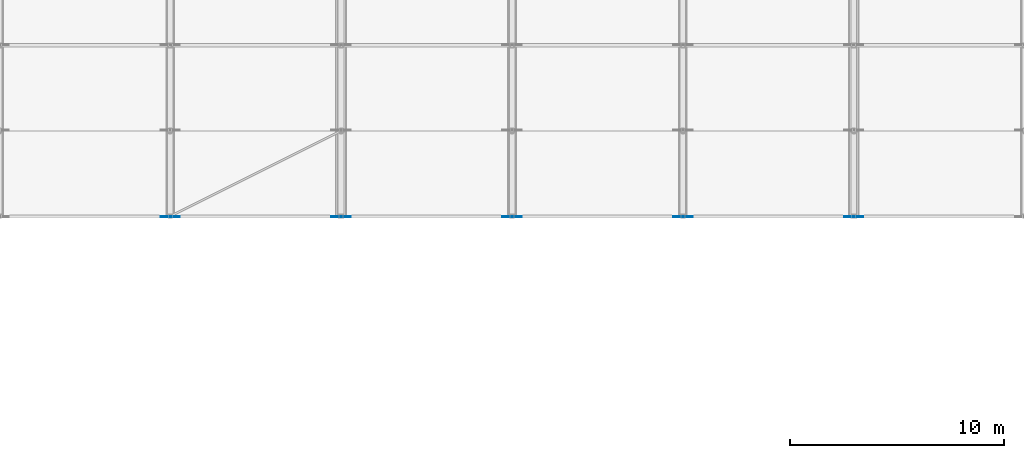
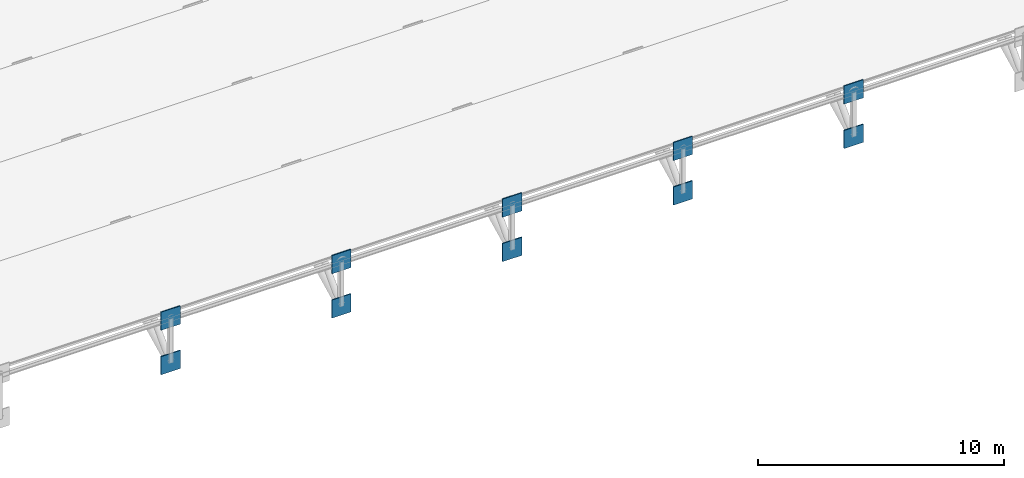
# One storey, part 60 of 98: 10 plates.
"""IFC4 building model written with IfcOpenShell, lengths in metres."""

from ifc_helpers import new_model, si_unit, direction, frame, origin, origin_2d, place, context, subcontext, project, spatial, rectangle, extrude, material, layer, layer_set, type_object, element, save


model = new_model("IFC4")

# Units and contexts
model_context = context("Model", 3, precision=1e-05, world=origin(), true_north=direction((0.0, 1.0)))
body_context = subcontext(model_context, "Body", "Model", "MODEL_VIEW")
ifc_project = project(units=[si_unit("LENGTHUNIT", "METRE"), si_unit("AREAUNIT", "SQUARE_METRE"), si_unit("VOLUMEUNIT", "CUBIC_METRE"), si_unit("PLANEANGLEUNIT", "RADIAN"), si_unit("MASSUNIT", "GRAM", prefix="KILO")], contexts=[model_context])

# Site, building, storey
site_placement = place(None, origin())
site = spatial("IfcSite", under=ifc_project, at=site_placement, CompositionType="ELEMENT")
building_placement = place(site_placement, origin())
building = spatial("IfcBuilding", under=site, at=building_placement, Name="Tlacozan Convention Centre", CompositionType="ELEMENT")
storey_placement = place(building_placement, frame((0.0, 0.0, 25.800048828125)))
storey = spatial("IfcBuildingStorey", under=building, at=storey_placement, Name="Roof", CompositionType="ELEMENT", Elevation=25.800048828125)

# Plates
ifc_material = material(Name="Steel ASTM A572 Grade 50", Category="steel")
ifc_layer = layer(ifc_material, 0.044921875)
ifc_layer_set = layer_set([ifc_layer], Name="Steel ASTM A572 Grade 50")
plate_type = type_object("IfcPlateType", Name="Arch Springing Node Gusset Plate", PredefinedType="SHEET", material=ifc_layer_set)
for number, where, z_axis, x_axis, name in (
    (1, (88.0, 61.976318359375, -11.061767578125), (0.0, 0.0, 1.0), (0.0, 1.0, 0.0), "Roof Gusset Cap Plate 375"),
    (2, (88.0, 61.976318359375, -13.26171875), (0.0, 0.0, 1.0), (0.0, 1.0, 0.0), "Roof Gusset Cap Plate 377"),
    (3, (96.0, 61.976318359375, -11.061767578125), (0.0, 0.0, 1.0), (0.0, 1.0, 0.0), "Roof Gusset Cap Plate 409"),
    (4, (96.0, 61.976318359375, -13.26171875), (0.0, 0.0, 1.0), (0.0, 1.0, 0.0), "Roof Gusset Cap Plate 411"),
    (5, (104.0, 61.976318359375, -11.061767578125), (0.0, 0.0, 1.0), (0.0, 1.0, 0.0), "Roof Gusset Cap Plate 443"),
    (6, (104.0, 61.976318359375, -13.26171875), (0.0, 0.0, 1.0), (0.0, 1.0, 0.0), "Roof Gusset Cap Plate 445"),
    (7, (112.0, 61.976318359375, -11.061767578125), (0.0, 0.0, 1.0), (0.0, 1.0, 0.0), "Roof Gusset Cap Plate 477"),
    (8, (112.0, 61.976318359375, -13.26171875), (0.0, 0.0, 1.0), (0.0, 1.0, 0.0), "Roof Gusset Cap Plate 479"),
    (9, (120.0, 61.976318359375, -11.061767578125), (0.0, 0.0, 1.0), (0.0, 1.0, 0.0), "Roof Gusset Cap Plate 511"),
    (10, (120.0, 61.976318359375, -13.26171875), (0.0, 0.0, 1.0), (0.0, 1.0, 0.0), "Roof Gusset Cap Plate 513"),
):
    element("IfcPlate", number, at=place(storey_placement, frame(where, z_axis=z_axis, x_axis=x_axis)), inside=storey, type_object=plate_type, Name=name, PredefinedType="SHEET", context=body_context, shape_type="SweptSolid", body=[
        extrude(rectangle(XDim=0.044921875, YDim=0.89990234375, at=origin_2d()), origin(), (0.0, 0.0, 1.0), 0.89990234375),
    ])

save(model, "model.ifc")
